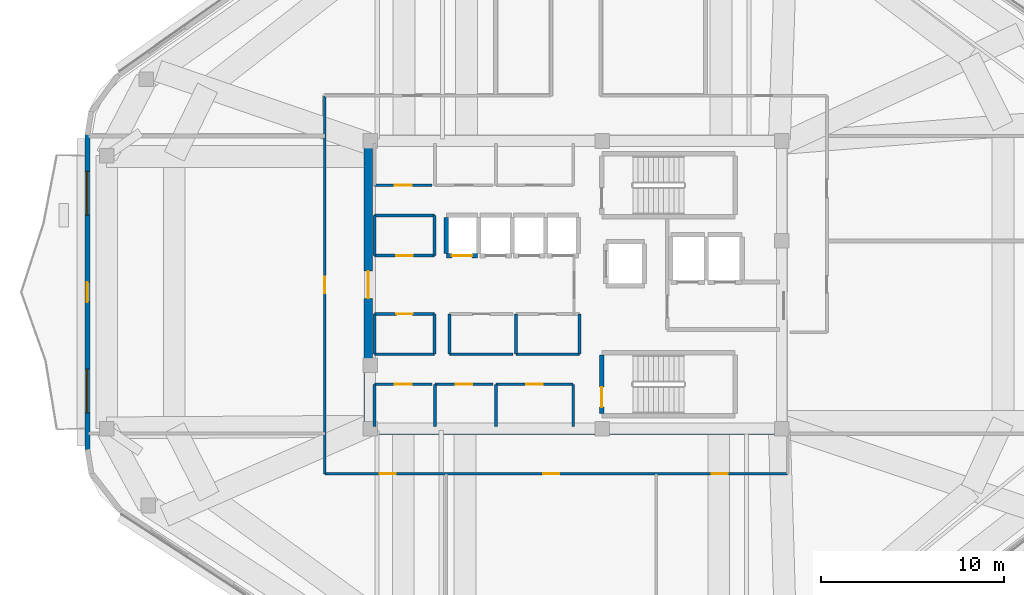
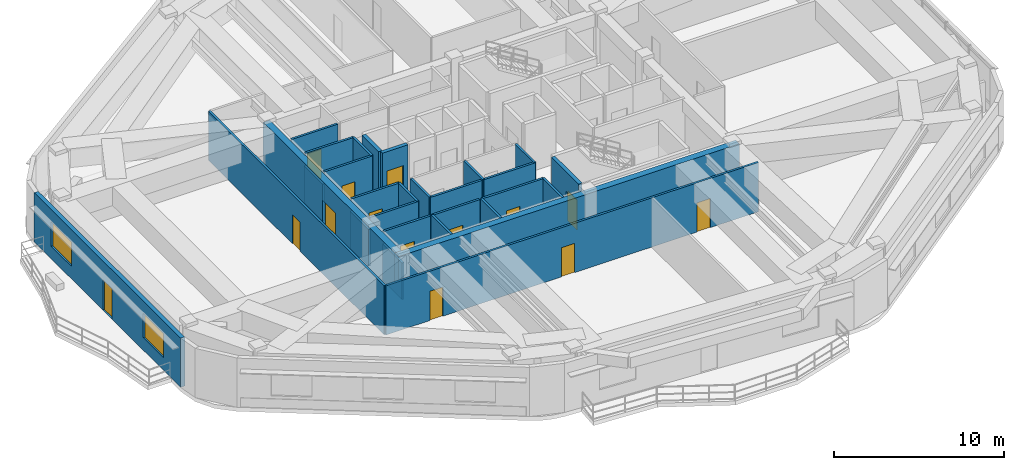
# One storey, part 9 of 15: 29 walls, 14 doors, 2 windows, 16 openings.
"""IFC4 building model written with IfcOpenShell, lengths in metres."""

from ifc_helpers import new_model, si_unit, direction, frame, frame_2d, origin, place, context, subcontext, project, spatial, rectangle, extrude, material, layer, layer_set, type_object, element, fill, save


model = new_model("IFC4")

# Units and contexts
model_context = context("Model", 3, precision=1e-05, world=origin(), true_north=direction((0.0, 1.0)))
body_context = subcontext(model_context, "Body", "Model", "MODEL_VIEW")
ifc_project = project(units=[si_unit("LENGTHUNIT", "METRE"), si_unit("AREAUNIT", "SQUARE_METRE"), si_unit("VOLUMEUNIT", "CUBIC_METRE"), si_unit("PLANEANGLEUNIT", "RADIAN"), si_unit("MASSUNIT", "GRAM", prefix="KILO")], contexts=[model_context])

# Site, building, storey
site_placement = place(None, origin())
site = spatial("IfcSite", under=ifc_project, at=site_placement, CompositionType="ELEMENT")
building_placement = place(site_placement, origin())
building = spatial("IfcBuilding", under=site, at=building_placement, Name="Zulverin Broadcast Headquarters", CompositionType="ELEMENT")
storey_placement = place(building_placement, frame((0.0, 0.0, 270.60009765625)))
storey = spatial("IfcBuildingStorey", under=building, at=storey_placement, Name="L69", CompositionType="ELEMENT", Elevation=270.60009765625)

# Wall
ifc_material_1 = material(Name="Concrete C50/60", Category="concrete")
ifc_layer_1 = layer(ifc_material_1, 0.449951171875, Name="Concrete C50/60", Category="concrete")
ifc_layer_set_1 = layer_set([ifc_layer_1], Name="Concrete C50/60")
wall_type_1 = type_object("IfcWallType", Name="WL-CORE-450", PredefinedType="SHEAR", material=ifc_layer_set_1)
wall_1_placement = place(storey_placement, frame((25.39990234375, 17.22509765625, 0.0), z_axis=(0.0, 0.0, 1.0), x_axis=(1.0, 0.0, 0.0)))
element("IfcWall", 1, at=wall_1_placement, inside=storey, type_object=wall_type_1, Name="L69 Core South Shear Wall", PredefinedType="SHEAR", context=body_context, shape_type="SweptSolid", body=[
    extrude(rectangle(XDim=23.2001953125, YDim=0.449951171875, at=frame_2d((11.60009765625, 0.0))), origin(), (0.0, 0.0, 1.0), 3.539794921875),
])

# Wall, opening, door
wall_2_placement = place(storey_placement, frame((25.625, 17.449951171875, 0.0), z_axis=(0.0, 0.0, 1.0), x_axis=(0.0, 1.0, 0.0)))
wall_2 = element("IfcWall", 2, at=wall_2_placement, inside=storey, type_object=wall_type_1, Name="L69 Core West Shear Wall", PredefinedType="SHEAR", context=body_context, shape_type="SweptSolid", body=[
    extrude(rectangle(XDim=15.5, YDim=0.449951171875, at=frame_2d((7.75, 0.0))), origin(), (0.0, 0.0, 1.0), 3.539794921875),
])
opening_1_placement = place(wall_2_placement, frame((7.0, 0.0, 0.0)))
opening_1 = element("IfcOpeningElement", 3, at=opening_1_placement, cuts=wall_2, Name="Opening D-L69-CW1", PredefinedType="OPENING", context=body_context, shape_type="SweptSolid", body=[
    extrude(rectangle(XDim=1.5, YDim=2.14990234375, at=frame_2d((0.75, 1.074951171875))), frame((0.0, 0.23486328125, 0.0), z_axis=(0.0, -1.0, 0.0), x_axis=(1.0, 0.0, 0.0)), (0.0, 0.0, 1.0), 0.469970703125),
])
ifc_material_2 = material(Name="Fire-rated glazed steel frame", Category="steel")
door_type_1 = type_object("IfcDoorType", Name="DR-COR-1500", OperationType="DOUBLE_DOOR_SINGLE_SWING", PredefinedType="DOOR", material=ifc_material_2)
door_1_placement = place(opening_1_placement, origin())
door_1 = element("IfcDoor", 4, at=door_1_placement, inside=storey, type_object=door_type_1, Name="L69 Central Lift Lobby West Portal Door", OperationType="DOUBLE_DOOR_SINGLE_SWING", OverallHeight=2.14990234375, OverallWidth=1.5, PredefinedType="DOOR", context=body_context, shape_type="SweptSolid", body=[
    extrude(rectangle(XDim=1.5, YDim=2.14990234375, at=frame_2d((0.75, 1.074951171875))), frame((0.0, 0.02490234375, 0.0), z_axis=(0.0, -1.0, 0.0), x_axis=(1.0, 0.0, 0.0)), (0.0, 0.0, 1.0), 0.050048828125),
])
fill(opening_1, door_1)

# Wall, openings, door, windows
ifc_material_3 = material(Name="Insulated pale-metal clad concrete spandrel C40/50", Category="concrete")
ifc_layer_2 = layer(ifc_material_3, 0.280029296875, Name="Insulated pale-metal clad concrete spandrel C40/50", Category="concrete")
ifc_layer_set_2 = layer_set([ifc_layer_2], Name="Insulated pale-metal clad concrete spandrel C40/50")
wall_type_2 = type_object("IfcWallType", Name="WL-EXT-280", PredefinedType="STANDARD", material=ifc_layer_set_2)
wall_3_placement = place(storey_placement, frame((10.239990234375, 33.42529296875, 0.0), z_axis=(0.0, 0.0, 1.0), x_axis=(0.0, -1.0, 0.0)))
wall_3 = element("IfcWall", 5, at=wall_3_placement, inside=storey, type_object=wall_type_2, Name="L69 Pale-Metal Clad Spandrel Wall 7", PredefinedType="STANDARD", context=body_context, shape_type="SweptSolid", body=[
    extrude(rectangle(XDim=17.256591796875, YDim=0.280029296875, at=frame_2d((8.62841796875, 0.0))), origin(), (0.0, 0.0, 1.0), 3.539794921875),
])
opening_2_placement = place(wall_3_placement, frame((8.078369140625, 0.0, 0.0)))
opening_2 = element("IfcOpeningElement", 6, at=opening_2_placement, cuts=wall_3, Name="Opening D-L69-TR7", PredefinedType="OPENING", context=body_context, shape_type="SweptSolid", body=[
    extrude(rectangle(XDim=1.10009765625, YDim=2.199951171875, at=frame_2d((0.550048828125, 1.10009765625))), frame((0.0, 0.14990234375, 0.0), z_axis=(0.0, -1.0, 0.0), x_axis=(1.0, 0.0, 0.0)), (0.0, 0.0, 1.0), 0.300048828125),
])
opening_3_placement = place(wall_3_placement, frame((2.009521484375, 0.0, 0.89990234375)))
opening_3 = element("IfcOpeningElement", 7, at=opening_3_placement, cuts=wall_3, Name="Opening W-L69-E71", PredefinedType="OPENING", context=body_context, shape_type="SweptSolid", body=[
    extrude(rectangle(XDim=2.39990234375, YDim=1.75, at=frame_2d((1.199951171875, 0.875))), frame((0.0, 0.14990234375, 0.0), z_axis=(0.0, -1.0, 0.0), x_axis=(1.0, 0.0, 0.0)), (0.0, 0.0, 1.0), 0.300048828125),
])
opening_4_placement = place(wall_3_placement, frame((12.84716796875, 0.0, 0.89990234375)))
opening_4 = element("IfcOpeningElement", 8, at=opening_4_placement, cuts=wall_3, Name="Opening W-L69-E72", PredefinedType="OPENING", context=body_context, shape_type="SweptSolid", body=[
    extrude(rectangle(XDim=2.39990234375, YDim=1.75, at=frame_2d((1.199951171875, 0.875))), frame((0.0, 0.14990234375, 0.0), z_axis=(0.0, -1.0, 0.0), x_axis=(1.0, 0.0, 0.0)), (0.0, 0.0, 1.0), 0.300048828125),
])
ifc_material_4 = material(Name="Thermally broken aluminium glazed", Category="aluminium")
door_type_2 = type_object("IfcDoorType", Name="DR-TERR-1100", OperationType="SINGLE_SWING_RIGHT", PredefinedType="DOOR", material=ifc_material_4)
door_2_placement = place(opening_2_placement, origin())
door_2 = element("IfcDoor", 9, at=door_2_placement, inside=storey, type_object=door_type_2, Name="L69 Planted Terrace Glazed Access Door 7", OperationType="SINGLE_SWING_RIGHT", OverallHeight=2.199951171875, OverallWidth=1.10009765625, PredefinedType="DOOR", context=body_context, shape_type="SweptSolid", body=[
    extrude(rectangle(XDim=1.10009765625, YDim=2.199951171875, at=frame_2d((0.550048828125, 1.10009765625))), frame((0.0, 0.02490234375, 0.0), z_axis=(0.0, -1.0, 0.0), x_axis=(1.0, 0.0, 0.0)), (0.0, 0.0, 1.0), 0.050048828125),
])
fill(opening_2, door_2)
ifc_material_5 = material(Name="Pale anodized aluminium frame with solar-control low-E double glazing", Category="aluminium")
window_type = type_object("IfcWindowType", Name="WIN-RIB-2400", PartitioningType="SINGLE_PANEL", PredefinedType="WINDOW", material=ifc_material_5)
window_1_placement = place(opening_3_placement, origin())
window_1 = element("IfcWindow", 10, at=window_1_placement, inside=storey, type_object=window_type, Name="L69 Ribbon Glazing Window 7 1", OverallHeight=1.75, OverallWidth=2.39990234375, PartitioningType="SINGLE_PANEL", PredefinedType="WINDOW", context=body_context, shape_type="SweptSolid", body=[
    extrude(rectangle(XDim=2.39990234375, YDim=1.75, at=frame_2d((1.199951171875, 0.875))), frame((0.0, 0.030029296875, 0.0), z_axis=(0.0, -1.0, 0.0), x_axis=(1.0, 0.0, 0.0)), (0.0, 0.0, 1.0), 0.06005859375),
])
fill(opening_3, window_1)
window_2_placement = place(opening_4_placement, origin())
window_2 = element("IfcWindow", 11, at=window_2_placement, inside=storey, type_object=window_type, Name="L69 Ribbon Glazing Window 7 2", OverallHeight=1.75, OverallWidth=2.39990234375, PartitioningType="SINGLE_PANEL", PredefinedType="WINDOW", context=body_context, shape_type="SweptSolid", body=[
    extrude(rectangle(XDim=2.39990234375, YDim=1.75, at=frame_2d((1.199951171875, 0.875))), frame((0.0, 0.030029296875, 0.0), z_axis=(0.0, -1.0, 0.0), x_axis=(1.0, 0.0, 0.0)), (0.0, 0.0, 1.0), 0.06005859375),
])
fill(opening_4, window_2)

# Wall, opening, door
ifc_material_6 = material(Name="Fire-rated gypsum stud partition", Category="gypsum")
ifc_layer_3 = layer(ifc_material_6, 0.14990234375, Name="Fire-rated gypsum stud partition", Category="gypsum")
ifc_layer_set_3 = layer_set([ifc_layer_3], Name="Fire-rated gypsum stud partition")
wall_type_3 = type_object("IfcWallType", Name="WL-PART-150", PredefinedType="PARTITIONING", material=ifc_layer_set_3)
wall_4_placement = place(storey_placement, frame((25.969970703125, 30.64990234375, 0.0), z_axis=(0.0, 0.0, 1.0), x_axis=(1.0, 0.0, 0.0)))
wall_4 = element("IfcWall", 12, at=wall_4_placement, inside=storey, type_object=wall_type_3, Name="L69 Core Male WC Front Wall", PredefinedType="PARTITIONING", context=body_context, shape_type="SweptSolid", body=[
    extrude(rectangle(XDim=3.150146484375, YDim=0.14990234375, at=frame_2d((1.5751953125, 0.0))), origin(), (0.0, 0.0, 1.0), 3.539794921875),
])
opening_5_placement = place(wall_4_placement, frame((1.10009765625, 0.0, 0.0)))
opening_5 = element("IfcOpeningElement", 13, at=opening_5_placement, cuts=wall_4, Name="Opening D-L69-NC1", PredefinedType="OPENING", context=body_context, shape_type="SweptSolid", body=[
    extrude(rectangle(XDim=0.949951171875, YDim=2.10009765625, at=frame_2d((0.47509765625, 1.050048828125))), frame((0.0, 0.0849609375, 0.0), z_axis=(0.0, -1.0, 0.0), x_axis=(1.0, 0.0, 0.0)), (0.0, 0.0, 1.0), 0.169921875),
])
ifc_material_7 = material(Name="Fire-rated moisture-resistant laminate leaf", Category="wood")
door_type_3 = type_object("IfcDoorType", Name="DR-WC-950", OperationType="SINGLE_SWING_LEFT", PredefinedType="DOOR", material=ifc_material_7)
door_3_placement = place(opening_5_placement, origin())
door_3 = element("IfcDoor", 14, at=door_3_placement, inside=storey, type_object=door_type_3, Name="L69 Male WC Door", OperationType="SINGLE_SWING_LEFT", OverallHeight=2.10009765625, OverallWidth=0.949951171875, PredefinedType="DOOR", context=body_context, shape_type="SweptSolid", body=[
    extrude(rectangle(XDim=0.949951171875, YDim=2.10009765625, at=frame_2d((0.47509765625, 1.050048828125))), frame((0.0, 0.02490234375, 0.0), z_axis=(0.0, -1.0, 0.0), x_axis=(1.0, 0.0, 0.0)), (0.0, 0.0, 1.0), 0.050048828125),
])
fill(opening_5, door_3)

wall_5_placement = place(storey_placement, frame((25.969970703125, 19.75, 0.0), z_axis=(0.0, 0.0, 1.0), x_axis=(1.0, 0.0, 0.0)))
wall_5 = element("IfcWall", 15, at=wall_5_placement, inside=storey, type_object=wall_type_3, Name="L69 Core Female WC Front Wall", PredefinedType="PARTITIONING", context=body_context, shape_type="SweptSolid", body=[
    extrude(rectangle(XDim=3.150146484375, YDim=0.14990234375, at=frame_2d((1.5751953125, 0.0))), origin(), (0.0, 0.0, 1.0), 3.539794921875),
])
opening_6_placement = place(wall_5_placement, frame((1.10009765625, 0.0, 0.0)))
opening_6 = element("IfcOpeningElement", 16, at=opening_6_placement, cuts=wall_5, Name="Opening D-L69-SC1", PredefinedType="OPENING", context=body_context, shape_type="SweptSolid", body=[
    extrude(rectangle(XDim=0.949951171875, YDim=2.10009765625, at=frame_2d((0.47509765625, 1.050048828125))), frame((0.0, 0.0849609375, 0.0), z_axis=(0.0, -1.0, 0.0), x_axis=(1.0, 0.0, 0.0)), (0.0, 0.0, 1.0), 0.169921875),
])
door_4_placement = place(opening_6_placement, origin())
door_4 = element("IfcDoor", 17, at=door_4_placement, inside=storey, type_object=door_type_3, Name="L69 Female WC Door", OperationType="SINGLE_SWING_RIGHT", OverallHeight=2.10009765625, OverallWidth=0.949951171875, PredefinedType="DOOR", context=body_context, shape_type="SweptSolid", body=[
    extrude(rectangle(XDim=0.949951171875, YDim=2.10009765625, at=frame_2d((0.47509765625, 1.050048828125))), frame((0.0, 0.02490234375, 0.0), z_axis=(0.0, -1.0, 0.0), x_axis=(1.0, 0.0, 0.0)), (0.0, 0.0, 1.0), 0.050048828125),
])
fill(opening_6, door_4)

# Wall
wall_6_placement = place(storey_placement, frame((25.969970703125, 17.449951171875, 0.0), z_axis=(0.0, 0.0, 1.0), x_axis=(0.0, 1.0, 0.0)))
element("IfcWall", 18, at=wall_6_placement, inside=storey, type_object=wall_type_3, Name="L69 Core Female WC West Wall", PredefinedType="PARTITIONING", context=body_context, shape_type="SweptSolid", body=[
    extrude(rectangle(XDim=2.300048828125, YDim=0.14990234375, at=frame_2d((1.14990234375, 0.0))), origin(), (0.0, 0.0, 1.0), 2.639892578125),
])

# Wall, opening, door
wall_7_placement = place(storey_placement, frame((29.280029296875, 19.75, 0.0), z_axis=(0.0, 0.0, 1.0), x_axis=(1.0, 0.0, 0.0)))
wall_7 = element("IfcWall", 19, at=wall_7_placement, inside=storey, type_object=wall_type_3, Name="L69 Core Cleaner Store Front Wall", PredefinedType="PARTITIONING", context=body_context, shape_type="SweptSolid", body=[
    extrude(rectangle(XDim=3.18994140625, YDim=0.14990234375, at=frame_2d((1.594970703125, 0.0))), origin(), (0.0, 0.0, 1.0), 3.539794921875),
])
opening_7_placement = place(wall_7_placement, frame((1.14501953125, 0.0, 0.0)))
opening_7 = element("IfcOpeningElement", 20, at=opening_7_placement, cuts=wall_7, Name="Opening D-L69-SC2", PredefinedType="OPENING", context=body_context, shape_type="SweptSolid", body=[
    extrude(rectangle(XDim=0.89990234375, YDim=2.10009765625, at=frame_2d((0.449951171875, 1.050048828125))), frame((0.0, 0.0849609375, 0.0), z_axis=(0.0, -1.0, 0.0), x_axis=(1.0, 0.0, 0.0)), (0.0, 0.0, 1.0), 0.169921875),
])
ifc_material_8 = material(Name="Powder-coated steel access leaf", Category="steel")
door_type_4 = type_object("IfcDoorType", Name="DR-RISER-900", OperationType="SINGLE_SWING_LEFT", PredefinedType="DOOR", material=ifc_material_8)
door_5_placement = place(opening_7_placement, origin())
door_5 = element("IfcDoor", 21, at=door_5_placement, inside=storey, type_object=door_type_4, Name="L69 Cleaner Store Door", OperationType="SINGLE_SWING_LEFT", OverallHeight=2.10009765625, OverallWidth=0.89990234375, PredefinedType="DOOR", context=body_context, shape_type="SweptSolid", body=[
    extrude(rectangle(XDim=0.89990234375, YDim=2.10009765625, at=frame_2d((0.449951171875, 1.050048828125))), frame((0.0, 0.02490234375, 0.0), z_axis=(0.0, -1.0, 0.0), x_axis=(1.0, 0.0, 0.0)), (0.0, 0.0, 1.0), 0.050048828125),
])
fill(opening_7, door_5)

# Wall
wall_8_placement = place(storey_placement, frame((29.280029296875, 17.449951171875, 0.0), z_axis=(0.0, 0.0, 1.0), x_axis=(0.0, 1.0, 0.0)))
element("IfcWall", 22, at=wall_8_placement, inside=storey, type_object=wall_type_3, Name="L69 Core Cleaner Store West Wall", PredefinedType="PARTITIONING", context=body_context, shape_type="SweptSolid", body=[
    extrude(rectangle(XDim=2.300048828125, YDim=0.14990234375, at=frame_2d((1.14990234375, 0.0))), origin(), (0.0, 0.0, 1.0), 3.539794921875),
])

# Wall, opening, door
wall_9_placement = place(storey_placement, frame((32.6298828125, 19.75, 0.0), z_axis=(0.0, 0.0, 1.0), x_axis=(1.0, 0.0, 0.0)))
wall_9 = element("IfcWall", 23, at=wall_9_placement, inside=storey, type_object=wall_type_3, Name="L69 Core Broadcast Fibre Riser Front Wall", PredefinedType="PARTITIONING", context=body_context, shape_type="SweptSolid", body=[
    extrude(rectangle(XDim=4.22021484375, YDim=0.14990234375, at=frame_2d((2.110107421875, 0.0))), origin(), (0.0, 0.0, 1.0), 3.539794921875),
])
opening_8_placement = place(wall_9_placement, frame((1.659912109375, 0.0, 0.0)))
opening_8 = element("IfcOpeningElement", 24, at=opening_8_placement, cuts=wall_9, Name="Opening D-L69-SC3", PredefinedType="OPENING", context=body_context, shape_type="SweptSolid", body=[
    extrude(rectangle(XDim=0.89990234375, YDim=2.10009765625, at=frame_2d((0.449951171875, 1.050048828125))), frame((0.0, 0.0849609375, 0.0), z_axis=(0.0, -1.0, 0.0), x_axis=(1.0, 0.0, 0.0)), (0.0, 0.0, 1.0), 0.169921875),
])
door_6_placement = place(opening_8_placement, origin())
door_6 = element("IfcDoor", 25, at=door_6_placement, inside=storey, type_object=door_type_4, Name="L69 Broadcast Fibre Riser Door", OperationType="SINGLE_SWING_RIGHT", OverallHeight=2.10009765625, OverallWidth=0.89990234375, PredefinedType="DOOR", context=body_context, shape_type="SweptSolid", body=[
    extrude(rectangle(XDim=0.89990234375, YDim=2.10009765625, at=frame_2d((0.449951171875, 1.050048828125))), frame((0.0, 0.02490234375, 0.0), z_axis=(0.0, -1.0, 0.0), x_axis=(1.0, 0.0, 0.0)), (0.0, 0.0, 1.0), 0.050048828125),
])
fill(opening_8, door_6)

# Walls
for number, where, z_axis, x_axis, name in (
    (26, (32.6298828125, 17.449951171875, 0.0), (0.0, 0.0, 1.0), (0.0, 1.0, 0.0), "L69 Core Broadcast Fibre Riser West Wall"),
    (27, (36.85009765625, 17.449951171875, 0.0), (0.0, 0.0, 1.0), (0.0, 1.0, 0.0), "L69 Core Broadcast Fibre Riser East Wall"),
):
    element("IfcWall", number, at=place(storey_placement, frame(where, z_axis=z_axis, x_axis=x_axis)), inside=storey, type_object=wall_type_3, Name=name, PredefinedType="PARTITIONING", context=body_context, shape_type="SweptSolid", body=[
        extrude(rectangle(XDim=2.300048828125, YDim=0.14990234375, at=frame_2d((1.14990234375, 0.0))), origin(), (0.0, 0.0, 1.0), 3.539794921875),
    ])

# Wall, opening, door
wall_10_placement = place(storey_placement, frame((25.969970703125, 26.800048828125, 0.0), z_axis=(0.0, 0.0, 1.0), x_axis=(1.0, 0.0, 0.0)))
wall_10 = element("IfcWall", 28, at=wall_10_placement, inside=storey, type_object=wall_type_3, Name="L69 Core UPS Battery Store S Wall", PredefinedType="PARTITIONING", context=body_context, shape_type="SweptSolid", body=[
    extrude(rectangle(XDim=3.280029296875, YDim=0.14990234375, at=frame_2d((1.64013671875, 0.0))), origin(), (0.0, 0.0, 1.0), 3.539794921875),
])
opening_9_placement = place(wall_10_placement, frame((1.18994140625, 0.0, 0.0)))
opening_9 = element("IfcOpeningElement", 29, at=opening_9_placement, cuts=wall_10, Name="Opening D-L69-RCLN", PredefinedType="OPENING", context=body_context, shape_type="SweptSolid", body=[
    extrude(rectangle(XDim=0.89990234375, YDim=2.10009765625, at=frame_2d((0.449951171875, 1.050048828125))), frame((0.0, 0.0849609375, 0.0), z_axis=(0.0, -1.0, 0.0), x_axis=(1.0, 0.0, 0.0)), (0.0, 0.0, 1.0), 0.169921875),
])
door_7_placement = place(opening_9_placement, origin())
door_7 = element("IfcDoor", 30, at=door_7_placement, inside=storey, type_object=door_type_4, Name="L69 Core UPS Battery Store Door", OperationType="SINGLE_SWING_LEFT", OverallHeight=2.10009765625, OverallWidth=0.89990234375, PredefinedType="DOOR", context=body_context, shape_type="SweptSolid", body=[
    extrude(rectangle(XDim=0.89990234375, YDim=2.10009765625, at=frame_2d((0.449951171875, 1.050048828125))), frame((0.0, 0.02490234375, 0.0), z_axis=(0.0, -1.0, 0.0), x_axis=(1.0, 0.0, 0.0)), (0.0, 0.0, 1.0), 0.050048828125),
])
fill(opening_9, door_7)

# Walls
wall_11_placement = place(storey_placement, frame((25.969970703125, 29.0, 0.0), z_axis=(0.0, 0.0, 1.0), x_axis=(1.0, 0.0, 0.0)))
element("IfcWall", 31, at=wall_11_placement, inside=storey, type_object=wall_type_3, Name="L69 Core UPS Battery Store N Wall", PredefinedType="PARTITIONING", context=body_context, shape_type="SweptSolid", body=[
    extrude(rectangle(XDim=3.280029296875, YDim=0.14990234375, at=frame_2d((1.64013671875, 0.0))), origin(), (0.0, 0.0, 1.0), 3.539794921875),
])
wall_12_placement = place(storey_placement, frame((25.969970703125, 26.800048828125, 0.0), z_axis=(0.0, 0.0, 1.0), x_axis=(0.0, 1.0, 0.0)))
element("IfcWall", 32, at=wall_12_placement, inside=storey, type_object=wall_type_3, Name="L69 Core UPS Battery Store W Wall", PredefinedType="PARTITIONING", context=body_context, shape_type="SweptSolid", body=[
    extrude(rectangle(XDim=2.199951171875, YDim=0.14990234375, at=frame_2d((1.10009765625, 0.0))), origin(), (0.0, 0.0, 1.0), 2.639892578125),
])
wall_13_placement = place(storey_placement, frame((29.25, 26.800048828125, 0.0), z_axis=(0.0, 0.0, 1.0), x_axis=(0.0, 1.0, 0.0)))
element("IfcWall", 33, at=wall_13_placement, inside=storey, type_object=wall_type_3, Name="L69 Core UPS Battery Store E Wall", PredefinedType="PARTITIONING", context=body_context, shape_type="SweptSolid", body=[
    extrude(rectangle(XDim=2.199951171875, YDim=0.14990234375, at=frame_2d((1.10009765625, 0.0))), origin(), (0.0, 0.0, 1.0), 3.539794921875),
])
wall_14_placement = place(storey_placement, frame((25.969970703125, 21.39990234375, 0.0), z_axis=(0.0, 0.0, 1.0), x_axis=(1.0, 0.0, 0.0)))
element("IfcWall", 34, at=wall_14_placement, inside=storey, type_object=wall_type_3, Name="L69 Housekeeping Equipment Store S Wall", PredefinedType="PARTITIONING", context=body_context, shape_type="SweptSolid", body=[
    extrude(rectangle(XDim=3.280029296875, YDim=0.14990234375, at=frame_2d((1.64013671875, 0.0))), origin(), (0.0, 0.0, 1.0), 3.539794921875),
])

# Wall, opening, door
wall_15_placement = place(storey_placement, frame((25.969970703125, 23.60009765625, 0.0), z_axis=(0.0, 0.0, 1.0), x_axis=(1.0, 0.0, 0.0)))
wall_15 = element("IfcWall", 35, at=wall_15_placement, inside=storey, type_object=wall_type_3, Name="L69 Housekeeping Equipment Store N Wall", PredefinedType="PARTITIONING", context=body_context, shape_type="SweptSolid", body=[
    extrude(rectangle(XDim=3.280029296875, YDim=0.14990234375, at=frame_2d((1.64013671875, 0.0))), origin(), (0.0, 0.0, 1.0), 3.539794921875),
])
opening_10_placement = place(wall_15_placement, frame((1.18994140625, 0.0, 0.0)))
opening_10 = element("IfcOpeningElement", 36, at=opening_10_placement, cuts=wall_15, Name="Opening D-L69-RCLS", PredefinedType="OPENING", context=body_context, shape_type="SweptSolid", body=[
    extrude(rectangle(XDim=0.89990234375, YDim=2.10009765625, at=frame_2d((0.449951171875, 1.050048828125))), frame((0.0, 0.0849609375, 0.0), z_axis=(0.0, -1.0, 0.0), x_axis=(1.0, 0.0, 0.0)), (0.0, 0.0, 1.0), 0.169921875),
])
door_8_placement = place(opening_10_placement, origin())
door_8 = element("IfcDoor", 37, at=door_8_placement, inside=storey, type_object=door_type_4, Name="L69 Housekeeping Equipment Store Door", OperationType="SINGLE_SWING_RIGHT", OverallHeight=2.10009765625, OverallWidth=0.89990234375, PredefinedType="DOOR", context=body_context, shape_type="SweptSolid", body=[
    extrude(rectangle(XDim=0.89990234375, YDim=2.10009765625, at=frame_2d((0.449951171875, 1.050048828125))), frame((0.0, 0.02490234375, 0.0), z_axis=(0.0, -1.0, 0.0), x_axis=(1.0, 0.0, 0.0)), (0.0, 0.0, 1.0), 0.050048828125),
])
fill(opening_10, door_8)

# Walls
wall_16_placement = place(storey_placement, frame((25.969970703125, 21.39990234375, 0.0), z_axis=(0.0, 0.0, 1.0), x_axis=(0.0, 1.0, 0.0)))
element("IfcWall", 38, at=wall_16_placement, inside=storey, type_object=wall_type_3, Name="L69 Housekeeping Equipment Store W Wall", PredefinedType="PARTITIONING", context=body_context, shape_type="SweptSolid", body=[
    extrude(rectangle(XDim=2.2001953125, YDim=0.14990234375, at=frame_2d((1.10009765625, 0.0))), origin(), (0.0, 0.0, 1.0), 2.639892578125),
])
wall_17_placement = place(storey_placement, frame((29.25, 21.39990234375, 0.0), z_axis=(0.0, 0.0, 1.0), x_axis=(0.0, 1.0, 0.0)))
element("IfcWall", 39, at=wall_17_placement, inside=storey, type_object=wall_type_3, Name="L69 Housekeeping Equipment Store E Wall", PredefinedType="PARTITIONING", context=body_context, shape_type="SweptSolid", body=[
    extrude(rectangle(XDim=2.2001953125, YDim=0.14990234375, at=frame_2d((1.10009765625, 0.0))), origin(), (0.0, 0.0, 1.0), 3.539794921875),
])
wall_18_placement = place(storey_placement, frame((30.080078125, 21.39990234375, 0.0), z_axis=(0.0, 0.0, 1.0), x_axis=(1.0, 0.0, 0.0)))
element("IfcWall", 40, at=wall_18_placement, inside=storey, type_object=wall_type_3, Name="L69 High-Zone Archive Vault Store S Wall", PredefinedType="PARTITIONING", context=body_context, shape_type="SweptSolid", body=[
    extrude(rectangle(XDim=3.47998046875, YDim=0.14990234375, at=frame_2d((1.739990234375, 0.0))), origin(), (0.0, 0.0, 1.0), 3.539794921875),
])
wall_19_placement = place(storey_placement, frame((30.080078125, 21.39990234375, 0.0), z_axis=(0.0, 0.0, 1.0), x_axis=(0.0, 1.0, 0.0)))
element("IfcWall", 41, at=wall_19_placement, inside=storey, type_object=wall_type_3, Name="L69 High-Zone Archive Vault Store W Wall", PredefinedType="PARTITIONING", context=body_context, shape_type="SweptSolid", body=[
    extrude(rectangle(XDim=2.2001953125, YDim=0.14990234375, at=frame_2d((1.10009765625, 0.0))), origin(), (0.0, 0.0, 1.0), 3.539794921875),
])
wall_20_placement = place(storey_placement, frame((33.719970703125, 21.39990234375, 0.0), z_axis=(0.0, 0.0, 1.0), x_axis=(1.0, 0.0, 0.0)))
element("IfcWall", 42, at=wall_20_placement, inside=storey, type_object=wall_type_3, Name="L69 Executive Floor Pantry Store S Wall", PredefinedType="PARTITIONING", context=body_context, shape_type="SweptSolid", body=[
    extrude(rectangle(XDim=3.47998046875, YDim=0.14990234375, at=frame_2d((1.739990234375, 0.0))), origin(), (0.0, 0.0, 1.0), 3.539794921875),
])
for number, where, z_axis, x_axis, name in (
    (43, (33.719970703125, 21.39990234375, 0.0), (0.0, 0.0, 1.0), (0.0, 1.0, 0.0), "L69 Executive Floor Pantry Store W Wall"),
    (44, (37.199951171875, 21.39990234375, 0.0), (0.0, 0.0, 1.0), (0.0, 1.0, 0.0), "L69 Executive Floor Pantry Store E Wall"),
):
    element("IfcWall", number, at=place(storey_placement, frame(where, z_axis=z_axis, x_axis=x_axis)), inside=storey, type_object=wall_type_3, Name=name, PredefinedType="PARTITIONING", context=body_context, shape_type="SweptSolid", body=[
        extrude(rectangle(XDim=2.2001953125, YDim=0.14990234375, at=frame_2d((1.10009765625, 0.0))), origin(), (0.0, 0.0, 1.0), 3.539794921875),
    ])

# Wall, opening, door
wall_21_placement = place(storey_placement, frame((23.25, 14.85009765625, 0.0), z_axis=(0.0, 0.0, 1.0), x_axis=(0.0, 1.0, 0.0)))
wall_21 = element("IfcWall", 45, at=wall_21_placement, inside=storey, type_object=wall_type_3, Name="L69 Gallery Partition Wall CG-09", PredefinedType="PARTITIONING", context=body_context, shape_type="SweptSolid", body=[
    extrude(rectangle(XDim=20.699951171875, YDim=0.14990234375, at=frame_2d((10.35009765625, 0.0))), origin(), (0.0, 0.0, 1.0), 3.539794921875),
])
opening_11_placement = place(wall_21_placement, frame((9.89990234375, 0.0, 0.0)))
opening_11 = element("IfcOpeningElement", 46, at=opening_11_placement, cuts=wall_21, Name="Opening D-L69-08", PredefinedType="OPENING", context=body_context, shape_type="SweptSolid", body=[
    extrude(rectangle(XDim=0.89990234375, YDim=2.10009765625, at=frame_2d((0.449951171875, 1.050048828125))), frame((0.0, 0.0849609375, 0.0), z_axis=(0.0, -1.0, 0.0), x_axis=(1.0, 0.0, 0.0)), (0.0, 0.0, 1.0), 0.169921875),
])
ifc_material_9 = material(Name="Fire-rated hardwood veneer timber leaf", Category="wood")
door_type_5 = type_object("IfcDoorType", Name="DR-ROOM-900", OperationType="SINGLE_SWING_RIGHT", PredefinedType="DOOR", material=ifc_material_9)
door_9_placement = place(opening_11_placement, origin())
door_9 = element("IfcDoor", 47, at=door_9_placement, inside=storey, type_object=door_type_5, Name="L69 Sky Lounge Bar Door", OperationType="SINGLE_SWING_LEFT", OverallHeight=2.10009765625, OverallWidth=0.89990234375, PredefinedType="DOOR", context=body_context, shape_type="SweptSolid", body=[
    extrude(rectangle(XDim=0.89990234375, YDim=2.10009765625, at=frame_2d((0.449951171875, 1.050048828125))), frame((0.0, 0.02490234375, 0.0), z_axis=(0.0, -1.0, 0.0), x_axis=(1.0, 0.0, 0.0)), (0.0, 0.0, 1.0), 0.050048828125),
])
fill(opening_11, door_9)

# Wall, openings, doors
wall_22_placement = place(storey_placement, frame((23.25, 14.85009765625, 0.0), z_axis=(0.0, 0.0, 1.0), x_axis=(1.0, 0.0, 0.0)))
wall_22 = element("IfcWall", 48, at=wall_22_placement, inside=storey, type_object=wall_type_3, Name="L69 Gallery Partition Wall CG-10", PredefinedType="PARTITIONING", context=body_context, shape_type="SweptSolid", body=[
    extrude(rectangle(XDim=25.35009765625, YDim=0.14990234375, at=frame_2d((12.675048828125, 0.0))), origin(), (0.0, 0.0, 1.0), 3.539794921875),
])
opening_12_placement = place(wall_22_placement, frame((2.9951171875, 0.0, 0.0)))
opening_12 = element("IfcOpeningElement", 49, at=opening_12_placement, cuts=wall_22, Name="Opening D-L69-05", PredefinedType="OPENING", context=body_context, shape_type="SweptSolid", body=[
    extrude(rectangle(XDim=0.89990234375, YDim=2.10009765625, at=frame_2d((0.449951171875, 1.050048828125))), frame((0.0, 0.0849609375, 0.0), z_axis=(0.0, -1.0, 0.0), x_axis=(1.0, 0.0, 0.0)), (0.0, 0.0, 1.0), 0.169921875),
])
opening_13_placement = place(wall_22_placement, frame((11.949951171875, 0.0, 0.0)))
opening_13 = element("IfcOpeningElement", 50, at=opening_13_placement, cuts=wall_22, Name="Opening D-L69-06", PredefinedType="OPENING", context=body_context, shape_type="SweptSolid", body=[
    extrude(rectangle(XDim=0.89990234375, YDim=2.10009765625, at=frame_2d((0.449951171875, 1.050048828125))), frame((0.0, 0.0849609375, 0.0), z_axis=(0.0, -1.0, 0.0), x_axis=(1.0, 0.0, 0.0)), (0.0, 0.0, 1.0), 0.169921875),
])
opening_14_placement = place(wall_22_placement, frame((21.179931640625, 0.0, 0.0)))
opening_14 = element("IfcOpeningElement", 51, at=opening_14_placement, cuts=wall_22, Name="Opening D-L69-07", PredefinedType="OPENING", context=body_context, shape_type="SweptSolid", body=[
    extrude(rectangle(XDim=0.89990234375, YDim=2.10009765625, at=frame_2d((0.449951171875, 1.050048828125))), frame((0.0, 0.0849609375, 0.0), z_axis=(0.0, -1.0, 0.0), x_axis=(1.0, 0.0, 0.0)), (0.0, 0.0, 1.0), 0.169921875),
])
door_10_placement = place(opening_12_placement, origin())
door_10 = element("IfcDoor", 52, at=door_10_placement, inside=storey, type_object=door_type_5, Name="L69 Preview Screening Suite Door", OperationType="SINGLE_SWING_RIGHT", OverallHeight=2.10009765625, OverallWidth=0.89990234375, PredefinedType="DOOR", context=body_context, shape_type="SweptSolid", body=[
    extrude(rectangle(XDim=0.89990234375, YDim=2.10009765625, at=frame_2d((0.449951171875, 1.050048828125))), frame((0.0, 0.02490234375, 0.0), z_axis=(0.0, -1.0, 0.0), x_axis=(1.0, 0.0, 0.0)), (0.0, 0.0, 1.0), 0.050048828125),
])
fill(opening_12, door_10)
door_11_placement = place(opening_13_placement, origin())
door_11 = element("IfcDoor", 53, at=door_11_placement, inside=storey, type_object=door_type_5, Name="L69 Writers Library Door", OperationType="SINGLE_SWING_LEFT", OverallHeight=2.10009765625, OverallWidth=0.89990234375, PredefinedType="DOOR", context=body_context, shape_type="SweptSolid", body=[
    extrude(rectangle(XDim=0.89990234375, YDim=2.10009765625, at=frame_2d((0.449951171875, 1.050048828125))), frame((0.0, 0.02490234375, 0.0), z_axis=(0.0, -1.0, 0.0), x_axis=(1.0, 0.0, 0.0)), (0.0, 0.0, 1.0), 0.050048828125),
])
fill(opening_13, door_11)
door_12_placement = place(opening_14_placement, origin())
door_12 = element("IfcDoor", 54, at=door_12_placement, inside=storey, type_object=door_type_5, Name="L69 Executive Dining Room Door", OperationType="SINGLE_SWING_RIGHT", OverallHeight=2.10009765625, OverallWidth=0.89990234375, PredefinedType="DOOR", context=body_context, shape_type="SweptSolid", body=[
    extrude(rectangle(XDim=0.89990234375, YDim=2.10009765625, at=frame_2d((0.449951171875, 1.050048828125))), frame((0.0, 0.02490234375, 0.0), z_axis=(0.0, -1.0, 0.0), x_axis=(1.0, 0.0, 0.0)), (0.0, 0.0, 1.0), 0.050048828125),
])
fill(opening_14, door_12)

# Wall, opening, door
ifc_layer_4 = layer(ifc_material_1, 0.25, Name="Concrete C50/60", Category="concrete")
ifc_layer_set_4 = layer_set([ifc_layer_4], Name="Concrete C50/60")
wall_type_4 = type_object("IfcWallType", Name="WL-SHAFT-250", PredefinedType="SHEAR", material=ifc_layer_set_4)
wall_23_placement = place(storey_placement, frame((38.425048828125, 18.14990234375, 0.0), z_axis=(0.0, 0.0, 1.0), x_axis=(0.0, 1.0, 0.0)))
wall_23 = element("IfcWall", 55, at=wall_23_placement, inside=storey, type_object=wall_type_4, Name="L69 ST-2 Enclosure Wall W", PredefinedType="SHEAR", context=body_context, shape_type="SweptSolid", body=[
    extrude(rectangle(XDim=3.2001953125, YDim=0.25, at=frame_2d((1.60009765625, 0.0))), origin(), (0.0, 0.0, 1.0), 3.539794921875),
])
opening_15_placement = place(wall_23_placement, frame((0.35009765625, 0.0, 0.0)))
opening_15 = element("IfcOpeningElement", 56, at=opening_15_placement, cuts=wall_23, Name="Opening D-L69-ST-2", PredefinedType="OPENING", context=body_context, shape_type="SweptSolid", body=[
    extrude(rectangle(XDim=1.10009765625, YDim=2.14990234375, at=frame_2d((0.550048828125, 1.074951171875))), frame((0.0, 0.135009765625, 0.0), z_axis=(0.0, -1.0, 0.0), x_axis=(1.0, 0.0, 0.0)), (0.0, 0.0, 1.0), 0.27001953125),
])
ifc_material_10 = material(Name="Fire-rated steel leaf and frame", Category="steel")
door_type_6 = type_object("IfcDoorType", Name="DR-STAIR-1100", OperationType="SINGLE_SWING_LEFT", PredefinedType="DOOR", material=ifc_material_10)
door_13_placement = place(opening_15_placement, origin())
door_13 = element("IfcDoor", 57, at=door_13_placement, inside=storey, type_object=door_type_6, Name="L69 Exit Stair ST-2 Fire Door", OperationType="SINGLE_SWING_RIGHT", OverallHeight=2.14990234375, OverallWidth=1.10009765625, PredefinedType="DOOR", context=body_context, shape_type="SweptSolid", body=[
    extrude(rectangle(XDim=1.10009765625, YDim=2.14990234375, at=frame_2d((0.550048828125, 1.074951171875))), frame((0.0, 0.02490234375, 0.0), z_axis=(0.0, -1.0, 0.0), x_axis=(1.0, 0.0, 0.0)), (0.0, 0.0, 1.0), 0.050048828125),
])
fill(opening_15, door_13)

wall_24_placement = place(storey_placement, frame((29.89990234375, 26.800048828125, 0.0), z_axis=(0.0, 0.0, 1.0), x_axis=(1.0, 0.0, 0.0)))
wall_24 = element("IfcWall", 58, at=wall_24_placement, inside=storey, type_object=wall_type_4, Name="L69 Lift PL-H1 Shaft Wall S", PredefinedType="SHEAR", context=body_context, shape_type="SweptSolid", body=[
    extrude(rectangle(XDim=1.72021484375, YDim=0.25, at=frame_2d((0.860107421875, 0.0))), origin(), (0.0, 0.0, 1.0), 3.539794921875),
])
opening_16_placement = place(wall_24_placement, frame((0.31005859375, 0.0, 0.0)))
opening_16 = element("IfcOpeningElement", 59, at=opening_16_placement, cuts=wall_24, Name="Opening LD-PL-H1-L69", PredefinedType="OPENING", context=body_context, shape_type="SweptSolid", body=[
    extrude(rectangle(XDim=1.10009765625, YDim=2.14990234375, at=frame_2d((0.550048828125, 1.074951171875))), frame((0.0, 0.135009765625, 0.0), z_axis=(0.0, -1.0, 0.0), x_axis=(1.0, 0.0, 0.0)), (0.0, 0.0, 1.0), 0.27001953125),
])
ifc_material_11 = material(Name="Brushed stainless steel landing", Category="steel")
door_type_7 = type_object("IfcDoorType", Name="LD-PASS-1100", OperationType="DOUBLE_DOOR_SLIDING", PredefinedType="DOOR", material=ifc_material_11)
door_14_placement = place(opening_16_placement, origin())
door_14 = element("IfcDoor", 60, at=door_14_placement, inside=storey, type_object=door_type_7, Name="L69 Lift PL-H1 Sliding Landing Door", OperationType="DOUBLE_DOOR_SLIDING", OverallHeight=2.14990234375, OverallWidth=1.10009765625, PredefinedType="DOOR", context=body_context, shape_type="SweptSolid", body=[
    extrude(rectangle(XDim=1.10009765625, YDim=2.14990234375, at=frame_2d((0.550048828125, 1.074951171875))), frame((0.0, 0.02490234375, 0.0), z_axis=(0.0, -1.0, 0.0), x_axis=(1.0, 0.0, 0.0)), (0.0, 0.0, 1.0), 0.050048828125),
])
fill(opening_16, door_14)

# Wall
wall_25_placement = place(storey_placement, frame((29.89990234375, 26.919921875, 0.0), z_axis=(0.0, 0.0, 1.0), x_axis=(0.0, 1.0, 0.0)))
element("IfcWall", 61, at=wall_25_placement, inside=storey, type_object=wall_type_4, Name="L69 Lift PL-H1 Shaft Wall W", PredefinedType="SHEAR", context=body_context, shape_type="SweptSolid", body=[
    extrude(rectangle(XDim=1.9599609375, YDim=0.25, at=frame_2d((0.97998046875, 0.0))), origin(), (0.0, 0.0, 1.0), 3.539794921875),
])

save(model, "model.ifc")
